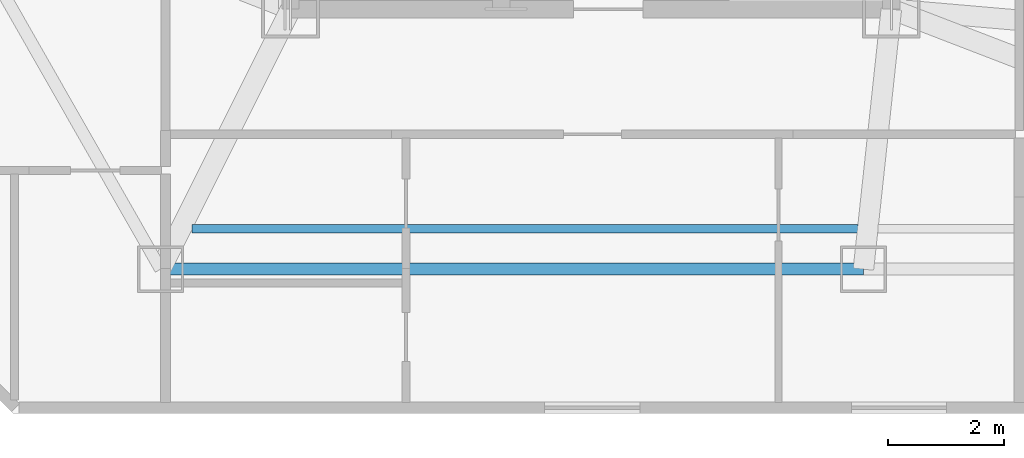
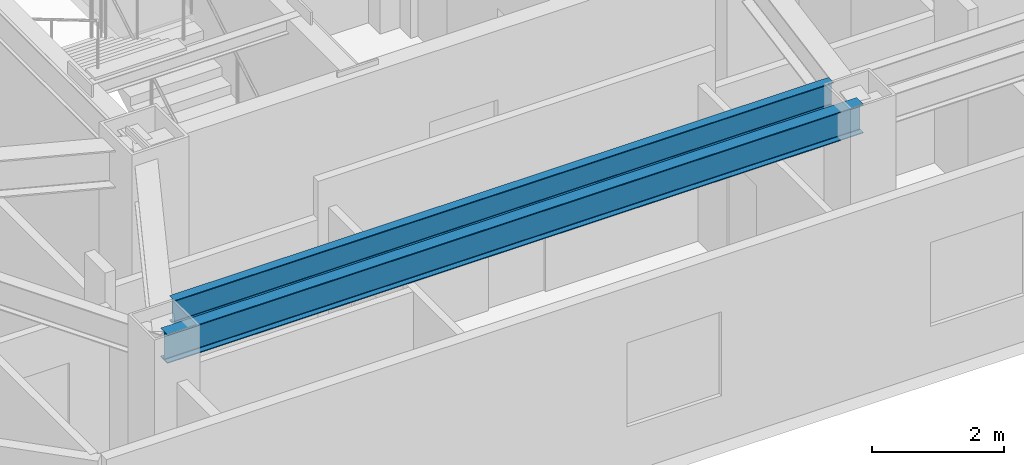
# One storey, part 3 of 14: 2 beams.
"""IFC4 building model written with IfcOpenShell, lengths in metres."""

from ifc_helpers import new_model, si_unit, direction, frame, origin, origin_2d, place, context, subcontext, project, spatial, i_section, extrude, material, material_profile, profile_set, type_object, element, save


model = new_model("IFC4")

# Units and contexts
model_context = context("Model", 3, precision=1e-05, world=origin(), true_north=direction((0.0, 1.0)))
body_context = subcontext(model_context, "Body", "Model", "MODEL_VIEW")
ifc_project = project(units=[si_unit("LENGTHUNIT", "METRE"), si_unit("AREAUNIT", "SQUARE_METRE"), si_unit("VOLUMEUNIT", "CUBIC_METRE"), si_unit("PLANEANGLEUNIT", "RADIAN"), si_unit("MASSUNIT", "GRAM", prefix="KILO")], contexts=[model_context])

# Site, building, storey
site_placement = place(None, origin())
site = spatial("IfcSite", under=ifc_project, at=site_placement, CompositionType="ELEMENT")
building_placement = place(site_placement, origin())
building = spatial("IfcBuilding", under=site, at=building_placement, Name="Khamvora Tower", CompositionType="ELEMENT")
storey_placement = place(building_placement, frame((0.0, 0.0, 231.800048828125)))
storey = spatial("IfcBuildingStorey", under=building, at=storey_placement, Name="L59", CompositionType="ELEMENT", Elevation=231.800048828125)

# Beams
ifc_material = material(Name="Steel S355", Category="steel")
ifc_material_profile_1 = material_profile(ifc_material, i_section(OverallWidth=0.154052734375, OverallDepth=0.458984375, WebThickness=0.009033203125, FlangeThickness=0.014892578125, FilletRadius=0.011962890625, at=origin_2d()), Name="W460x68")
ifc_profile_set_1 = profile_set([ifc_material_profile_1], Name="Steel S355")
beam_type_1 = type_object("IfcBeamType", Name="BM-JS-W460x68", PredefinedType="JOIST", material=ifc_profile_set_1)
beam_1_placement = place(storey_placement, frame((27.29296875, 15.199951171875, 3.199951171875), z_axis=(1.0, 0.0, 0.0), x_axis=(0.0, 1.0, 0.0)))
element("IfcBeam", 1, at=beam_1_placement, inside=storey, type_object=beam_type_1, Name="L59 secondary floor joist 01", PredefinedType="JOIST", context=body_context, shape_type="SweptSolid", body=[
    extrude(i_section(OverallWidth=0.154052734375, OverallDepth=0.458984375, WebThickness=0.009033203125, FlangeThickness=0.014892578125, FilletRadius=0.011962890625, at=origin_2d()), origin(), (0.0, 0.0, 1.0), 11.526123046875),
])
ifc_material_profile_2 = material_profile(ifc_material, i_section(OverallWidth=0.208984375, OverallDepth=0.532958984375, WebThickness=0.010009765625, FlangeThickness=0.01611328125, FilletRadius=0.013916015625, at=origin_2d()), Name="W530x92")
ifc_profile_set_2 = profile_set([ifc_material_profile_2], Name="Steel S355")
beam_type_2 = type_object("IfcBeamType", Name="BM-SP-W530x92", PredefinedType="SPANDREL", material=ifc_profile_set_2)
beam_2_placement = place(storey_placement, frame((26.75, 14.5, 3.162841796875), z_axis=(1.0, 0.0, 0.0), x_axis=(0.0, 1.0, 0.0)))
element("IfcBeam", 2, at=beam_2_placement, inside=storey, type_object=beam_type_2, Name="L59 perimeter spandrel beam S1-S2", PredefinedType="SPANDREL", context=body_context, shape_type="SweptSolid", body=[
    extrude(i_section(OverallWidth=0.208984375, OverallDepth=0.532958984375, WebThickness=0.010009765625, FlangeThickness=0.01611328125, FilletRadius=0.013916015625, at=origin_2d()), origin(), (0.0, 0.0, 1.0), 12.1669921875),
])

save(model, "model.ifc")
